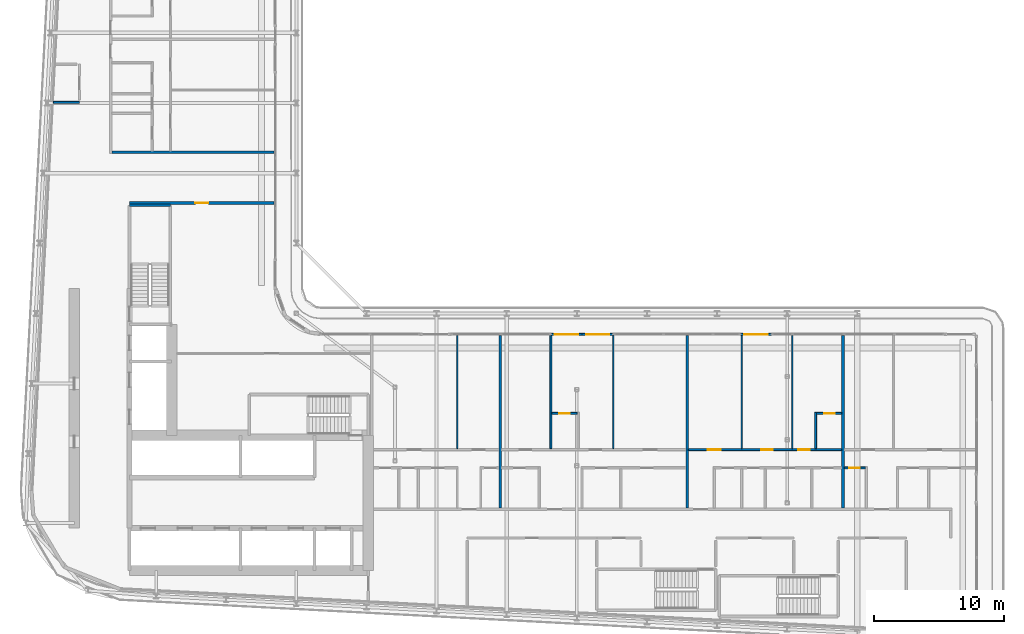
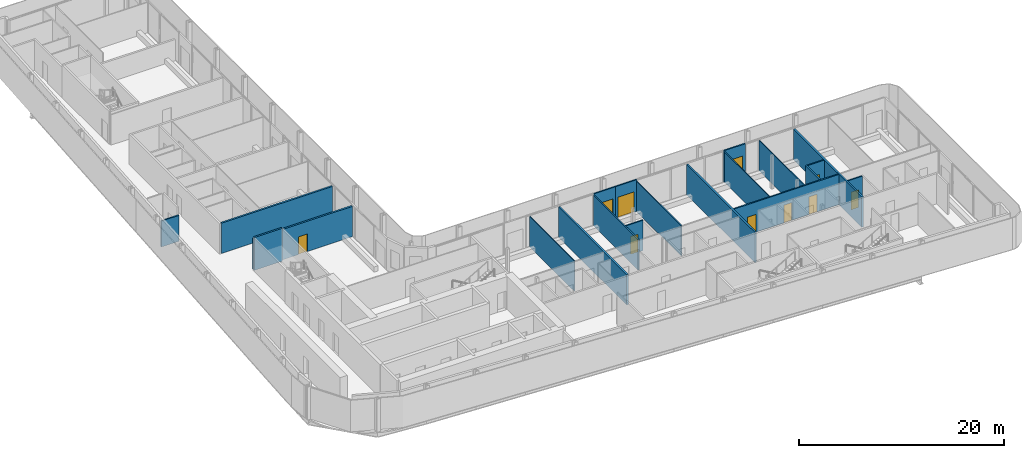
# One storey, part 18 of 29: 20 walls, 10 doors, 10 openings.
"""IFC4 building model written with IfcOpenShell, lengths in metres."""

from ifc_helpers import new_model, si_unit, direction, frame, frame_2d, origin, place, context, subcontext, project, spatial, rectangle, extrude, source, transform, mapped, material, layer, layer_set, type_object, element, fill, save


model = new_model("IFC4")

# Units and contexts
model_context = context("Model", 3, precision=1e-05, world=origin(), true_north=direction((0.0, 1.0)))
body_context = subcontext(model_context, "Body", "Model", "MODEL_VIEW")
ifc_project = project(units=[si_unit("LENGTHUNIT", "METRE"), si_unit("AREAUNIT", "SQUARE_METRE"), si_unit("VOLUMEUNIT", "CUBIC_METRE"), si_unit("PLANEANGLEUNIT", "RADIAN"), si_unit("MASSUNIT", "GRAM", prefix="KILO")], contexts=[model_context])

# Site, building, storey
site_placement = place(None, origin())
site = spatial("IfcSite", under=ifc_project, at=site_placement, CompositionType="ELEMENT")
building_placement = place(site_placement, origin())
building = spatial("IfcBuilding", under=site, at=building_placement, Name="Kheshtan School and Residences Tower", CompositionType="ELEMENT")
storey_placement = place(building_placement, frame((0.0, 0.0, 179.89990234375)))
storey = spatial("IfcBuildingStorey", under=building, at=storey_placement, Name="L42", CompositionType="ELEMENT", Elevation=179.89990234375)

# Wall
ifc_material_1 = material(Name="Gypsum board on steel studs with fire boards", Category="steel")
ifc_layer_1 = layer(ifc_material_1, 0.199951171875)
ifc_layer_set_1 = layer_set([ifc_layer_1], Name="Corridor wall 200")
wall_type_1 = type_object("IfcWallType", Name="Corridor wall 200", PredefinedType="PARTITIONING", material=ifc_layer_set_1)
wall_1_placement = place(storey_placement, frame((33.39990234375, 58.0, 0.0), z_axis=(0.0, 0.0, 1.0), x_axis=(1.0, 0.0, 0.0)))
element("IfcWall", 1, at=wall_1_placement, inside=storey, type_object=wall_type_1, Name="Partition L42-006", PredefinedType="PARTITIONING", context=body_context, shape_type="SweptSolid", body=[
    extrude(rectangle(XDim=12.5, YDim=0.199951171875, at=frame_2d((6.25, 0.0))), origin(), (0.0, 0.0, 1.0), 3.60009765625),
])

# Wall, opening, door
wall_2_placement = place(storey_placement, frame((34.75, 54.10009765625, 0.0), z_axis=(0.0, 0.0, 1.0), x_axis=(1.0, 0.0, 0.0)))
wall_2 = element("IfcWall", 2, at=wall_2_placement, inside=storey, type_object=wall_type_1, Name="Partition L42-017", PredefinedType="PARTITIONING", context=body_context, shape_type="SweptSolid", body=[
    extrude(rectangle(XDim=11.14990234375, YDim=0.199951171875, at=frame_2d((5.574951171875, 0.0))), origin(), (0.0, 0.0, 1.0), 3.60009765625),
])
opening_1_placement = place(wall_2_placement, frame((5.074951171875, 0.0, 0.0)))
opening_1 = element("IfcOpeningElement", 3, at=opening_1_placement, cuts=wall_2, Name="Opening D41-051", PredefinedType="OPENING", context=body_context, shape_type="SweptSolid", body=[
    extrude(rectangle(XDim=1.0, YDim=2.10009765625, at=frame_2d((0.5, 1.050048828125))), frame((0.0, 0.10986328125, 0.0), z_axis=(0.0, -1.0, 0.0), x_axis=(1.0, 0.0, 0.0)), (0.0, 0.0, 1.0), 0.219970703125),
])
ifc_material_2 = material(Name="Steel-framed fire-resisting door leaf", Category="steel")
door_type_1 = type_object("IfcDoorType", Name="Fire door FD60 1000 x 2100", OperationType="SINGLE_SWING_LEFT", PredefinedType="DOOR", material=ifc_material_2)
shared_shape_1 = source(origin(), body_context, "Body", "SweptSolid", [
    extrude(rectangle(XDim=1.0, YDim=2.10009765625, at=frame_2d((0.5, 1.050048828125))), frame((0.0, 0.02490234375, 0.0), z_axis=(0.0, -1.0, 0.0), x_axis=(1.0, 0.0, 0.0)), (0.0, 0.0, 1.0), 0.050048828125),
])
door_1_placement = place(opening_1_placement, origin())
door_1 = element("IfcDoor", 4, at=door_1_placement, inside=storey, type_object=door_type_1, Name="Door D41-051", OperationType="SINGLE_SWING_RIGHT", OverallHeight=2.10009765625, OverallWidth=1.0, PredefinedType="DOOR", context=body_context, shape_type="MappedRepresentation", body=[
    mapped(shared_shape_1, transform((0.0, 0.0, 0.0), x_axis=(1.0, 0.0, 0.0), y_axis=(0.0, 1.0, 0.0), z_axis=(0.0, 0.0, 1.0), scale=1.0)),
])
fill(opening_1, door_1)

ifc_material_3 = material(Name="Aluminium frame wall with insulated infill", Category="aluminium")
ifc_layer_2 = layer(ifc_material_3, 0.14990234375)
ifc_layer_set_2 = layer_set([ifc_layer_2], Name="Glazing frame wall 150")
wall_type_2 = type_object("IfcWallType", Name="Glazing frame wall 150", PredefinedType="SOLIDWALL", material=ifc_layer_set_2)
wall_3_placement = place(storey_placement, frame((67.218017578125, 43.97509765625, 0.0), z_axis=(0.0, 0.0, 1.0), x_axis=(1.0, 0.0, 0.0)))
wall_3 = element("IfcWall", 5, at=wall_3_placement, inside=storey, type_object=wall_type_2, Name="Balcony door wall L42 12.2", PredefinedType="SOLIDWALL", context=body_context, shape_type="SweptSolid", body=[
    extrude(rectangle(XDim=2.39990234375, YDim=0.14990234375, at=frame_2d((1.199951171875, 0.0))), origin(), (0.0, 0.0, 1.0), 3.75),
])
opening_2_placement = place(wall_3_placement, frame((0.300048828125, 0.0, 0.0)))
opening_2 = element("IfcOpeningElement", 6, at=opening_2_placement, cuts=wall_3, Name="Opening BD", PredefinedType="OPENING", context=body_context, shape_type="SweptSolid", body=[
    extrude(rectangle(XDim=1.800048828125, YDim=2.39990234375, at=frame_2d((0.89990234375, 1.199951171875))), frame((0.0, 0.0849609375, 0.0), z_axis=(0.0, -1.0, 0.0), x_axis=(1.0, 0.0, 0.0)), (0.0, 0.0, 1.0), 0.169921875),
])
ifc_material_4 = material(Name="Clear low-e glass in thermally broken aluminium frame", Category="aluminium")
door_type_2 = type_object("IfcDoorType", Name="Balcony sliding door", OperationType="SLIDING_TO_LEFT", PredefinedType="DOOR", material=ifc_material_4)
shared_shape_2 = source(origin(), body_context, "Body", "SweptSolid", [
    extrude(rectangle(XDim=1.800048828125, YDim=2.39990234375, at=frame_2d((0.89990234375, 1.199951171875))), frame((0.0, 0.02490234375, 0.0), z_axis=(0.0, -1.0, 0.0), x_axis=(1.0, 0.0, 0.0)), (0.0, 0.0, 1.0), 0.050048828125),
])
door_2_placement = place(opening_2_placement, origin())
door_2 = element("IfcDoor", 7, at=door_2_placement, inside=storey, type_object=door_type_2, Name="Balcony door L42 12.2", OperationType="SLIDING_TO_LEFT", OverallHeight=2.39990234375, OverallWidth=1.800048828125, PredefinedType="DOOR", context=body_context, shape_type="MappedRepresentation", body=[
    mapped(shared_shape_2, transform((0.0, 0.0, 0.0), x_axis=(1.0, 0.0, 0.0), y_axis=(0.0, 1.0, 0.0), z_axis=(0.0, 0.0, 1.0), scale=1.0)),
])
fill(opening_2, door_2)

wall_4_placement = place(storey_placement, frame((69.617919921875, 43.97509765625, 0.0), z_axis=(0.0, 0.0, 1.0), x_axis=(1.0, 0.0, 0.0)))
wall_4 = element("IfcWall", 8, at=wall_4_placement, inside=storey, type_object=wall_type_2, Name="Balcony door wall L42 12.3", PredefinedType="SOLIDWALL", context=body_context, shape_type="SweptSolid", body=[
    extrude(rectangle(XDim=2.400146484375, YDim=0.14990234375, at=frame_2d((1.2001953125, 0.0))), origin(), (0.0, 0.0, 1.0), 3.75),
])
opening_3_placement = place(wall_4_placement, frame((0.300048828125, 0.0, 0.0)))
opening_3 = element("IfcOpeningElement", 9, at=opening_3_placement, cuts=wall_4, Name="Opening BD", PredefinedType="OPENING", context=body_context, shape_type="SweptSolid", body=[
    extrude(rectangle(XDim=1.800048828125, YDim=2.39990234375, at=frame_2d((0.89990234375, 1.199951171875))), frame((0.0, 0.0849609375, 0.0), z_axis=(0.0, -1.0, 0.0), x_axis=(1.0, 0.0, 0.0)), (0.0, 0.0, 1.0), 0.169921875),
])
door_3_placement = place(opening_3_placement, origin())
door_3 = element("IfcDoor", 10, at=door_3_placement, inside=storey, type_object=door_type_2, Name="Balcony door L42 12.3", OperationType="SLIDING_TO_LEFT", OverallHeight=2.39990234375, OverallWidth=1.800048828125, PredefinedType="DOOR", context=body_context, shape_type="MappedRepresentation", body=[
    mapped(shared_shape_2, transform((0.0, 0.0, 0.0), x_axis=(1.0, 0.0, 0.0), y_axis=(0.0, 1.0, 0.0), z_axis=(0.0, 0.0, 1.0), scale=1.0)),
])
fill(opening_3, door_3)

wall_5_placement = place(storey_placement, frame((81.81201171875, 43.97509765625, 0.0), z_axis=(0.0, 0.0, 1.0), x_axis=(1.0, 0.0, 0.0)))
wall_5 = element("IfcWall", 11, at=wall_5_placement, inside=storey, type_object=wall_type_2, Name="Balcony door wall L42 12.4", PredefinedType="SOLIDWALL", context=body_context, shape_type="SweptSolid", body=[
    extrude(rectangle(XDim=2.39990234375, YDim=0.14990234375, at=frame_2d((1.199951171875, 0.0))), origin(), (0.0, 0.0, 1.0), 3.75),
])
opening_4_placement = place(wall_5_placement, frame((0.300048828125, 0.0, 0.0)))
opening_4 = element("IfcOpeningElement", 12, at=opening_4_placement, cuts=wall_5, Name="Opening BD", PredefinedType="OPENING", context=body_context, shape_type="SweptSolid", body=[
    extrude(rectangle(XDim=1.800048828125, YDim=2.39990234375, at=frame_2d((0.89990234375, 1.199951171875))), frame((0.0, 0.0849609375, 0.0), z_axis=(0.0, -1.0, 0.0), x_axis=(1.0, 0.0, 0.0)), (0.0, 0.0, 1.0), 0.169921875),
])
door_4_placement = place(opening_4_placement, origin())
door_4 = element("IfcDoor", 13, at=door_4_placement, inside=storey, type_object=door_type_2, Name="Balcony door L42 12.4", OperationType="SLIDING_TO_LEFT", OverallHeight=2.39990234375, OverallWidth=1.800048828125, PredefinedType="DOOR", context=body_context, shape_type="MappedRepresentation", body=[
    mapped(shared_shape_2, transform((0.0, 0.0, 0.0), x_axis=(1.0, 0.0, 0.0), y_axis=(0.0, 1.0, 0.0), z_axis=(0.0, 0.0, 1.0), scale=1.0)),
])
fill(opening_4, door_4)

# Walls
ifc_material_5 = material(Name="Gypsum board on steel studs", Category="steel")
ifc_layer_3 = layer(ifc_material_5, 0.10009765625)
ifc_layer_set_3 = layer_set([ifc_layer_3], Name="Gypsum partition 100")
wall_type_3 = type_object("IfcWallType", Name="Gypsum partition 100", PredefinedType="PARTITIONING", material=ifc_layer_set_3)
for number, where, z_axis, x_axis, name in (
    (14, (60.0, 35.175048828125, 0.0), (0.0, 0.0, 1.0), (0.0, 1.0, 0.0), "Partition L42-038"),
    (15, (72.0, 35.175048828125, 0.0), (0.0, 0.0, 1.0), (0.0, 1.0, 0.0), "Partition L42-050"),
    (16, (81.89990234375, 35.175048828125, 0.0), (0.0, 0.0, 1.0), (0.0, 1.0, 0.0), "Partition L42-057"),
    (17, (85.800048828125, 35.175048828125, 0.0), (0.0, 0.0, 1.0), (0.0, 1.0, 0.0), "Partition L42-059"),
):
    element("IfcWall", number, at=place(storey_placement, frame(where, z_axis=z_axis, x_axis=x_axis)), inside=storey, type_object=wall_type_3, Name=name, PredefinedType="PARTITIONING", context=body_context, shape_type="SweptSolid", body=[
        extrude(rectangle(XDim=8.724853515625, YDim=0.10009765625, at=frame_2d((4.3623046875, 0.0))), origin(), (0.0, 0.0, 1.0), 3.60009765625),
    ])
ifc_material_6 = material(Name="Fire-board shaft wall system")
ifc_layer_4 = layer(ifc_material_6, 0.14990234375)
ifc_layer_set_4 = layer_set([ifc_layer_4], Name="Service room wall 150")
wall_type_4 = type_object("IfcWallType", Name="Service room wall 150", PredefinedType="PARTITIONING", material=ifc_layer_set_4)
wall_6_placement = place(storey_placement, frame((28.89501953125, 61.85107421875, 0.0), z_axis=(0.0, 0.0, 1.0), x_axis=(1.0, 0.0, 0.0)))
element("IfcWall", 18, at=wall_6_placement, inside=storey, type_object=wall_type_4, Name="Service room wall", PredefinedType="PARTITIONING", context=body_context, shape_type="SweptSolid", body=[
    extrude(rectangle(XDim=2.0048828125, YDim=0.14990234375, at=frame_2d((1.00244140625, 0.0))), origin(), (0.0, 0.0, 1.0), 3.072021484375),
])
ifc_material_7 = material(Name="Concrete C40/50", Category="concrete")
ifc_layer_5 = layer(ifc_material_7, 0.199951171875)
ifc_layer_set_5 = layer_set([ifc_layer_5], Name="Stair enclosure wall 200 Concrete C40/50")
wall_type_5 = type_object("IfcWallType", Name="Stair enclosure wall 200 Concrete C40/50", PredefinedType="SHEAR", material=ifc_layer_set_5)
wall_7_placement = place(storey_placement, frame((34.75, 53.909912109375, 0.0), z_axis=(0.0, 0.0, 1.0), x_axis=(1.0, 0.0, 0.0)))
element("IfcWall", 19, at=wall_7_placement, inside=storey, type_object=wall_type_5, Name="Stair enclosure wall ST2", PredefinedType="SHEAR", context=body_context, shape_type="SweptSolid", body=[
    extrude(rectangle(XDim=3.14990234375, YDim=0.199951171875, at=frame_2d((1.574951171875, 0.0))), origin(), (0.0, 0.0, 1.0), 3.900146484375),
])
ifc_material_8 = material(Name="Twin gypsum board on steel studs with mineral wool", Category="steel")
ifc_layer_6 = layer(ifc_material_8, 0.199951171875)
ifc_layer_set_6 = layer_set([ifc_layer_6], Name="Unit demising wall 200")
wall_type_6 = type_object("IfcWallType", Name="Unit demising wall 200", PredefinedType="PARTITIONING", material=ifc_layer_set_6)
for number, where, z_axis, x_axis, name in (
    (20, (63.300048828125, 30.60009765625, 0.0), (0.0, 0.0, 1.0), (0.0, 1.0, 0.0), "Partition L42-041"),
    (21, (77.699951171875, 30.60009765625, 0.0), (0.0, 0.0, 1.0), (0.0, 1.0, 0.0), "Partition L42-052"),
    (22, (89.699951171875, 30.60009765625, 0.0), (0.0, 0.0, 1.0), (0.0, 1.0, 0.0), "Partition L42-063"),
):
    element("IfcWall", number, at=place(storey_placement, frame(where, z_axis=z_axis, x_axis=x_axis)), inside=storey, type_object=wall_type_6, Name=name, PredefinedType="PARTITIONING", context=body_context, shape_type="SweptSolid", body=[
        extrude(rectangle(XDim=13.2998046875, YDim=0.199951171875, at=frame_2d((6.64990234375, 0.0))), origin(), (0.0, 0.0, 1.0), 3.60009765625),
    ])
ifc_material_9 = material(Name="Moisture-resistant gypsum board on steel studs", Category="steel")
ifc_layer_7 = layer(ifc_material_9, 0.14990234375)
ifc_layer_set_7 = layer_set([ifc_layer_7], Name="Wet-room partition 150")
wall_type_7 = type_object("IfcWallType", Name="Wet-room partition 150", PredefinedType="PARTITIONING", material=ifc_layer_set_7)
wall_8_placement = place(storey_placement, frame((67.199951171875, 35.175048828125, 0.0), z_axis=(0.0, 0.0, 1.0), x_axis=(0.0, 1.0, 0.0)))
element("IfcWall", 23, at=wall_8_placement, inside=storey, type_object=wall_type_7, Name="Partition L42-045", PredefinedType="PARTITIONING", context=body_context, shape_type="SweptSolid", body=[
    extrude(rectangle(XDim=8.724853515625, YDim=0.14990234375, at=frame_2d((4.3623046875, 0.0))), origin(), (0.0, 0.0, 1.0), 3.60009765625),
])

# Wall, opening, door
wall_9_placement = place(storey_placement, frame((67.27490234375, 37.89990234375, 0.0), z_axis=(0.0, 0.0, 1.0), x_axis=(1.0, 0.0, 0.0)))
wall_9 = element("IfcWall", 24, at=wall_9_placement, inside=storey, type_object=wall_type_7, Name="Partition L42-046", PredefinedType="PARTITIONING", context=body_context, shape_type="SweptSolid", body=[
    extrude(rectangle(XDim=1.9501953125, YDim=0.14990234375, at=frame_2d((0.97509765625, 0.0))), origin(), (0.0, 0.0, 1.0), 3.60009765625),
])
opening_5_placement = place(wall_9_placement, frame((0.574951171875, 0.0, 0.0)))
opening_5 = element("IfcOpeningElement", 25, at=opening_5_placement, cuts=wall_9, Name="Opening D41-010", PredefinedType="OPENING", context=body_context, shape_type="SweptSolid", body=[
    extrude(rectangle(XDim=0.800048828125, YDim=2.10009765625, at=frame_2d((0.39990234375, 1.050048828125))), frame((0.0, 0.0849609375, 0.0), z_axis=(0.0, -1.0, 0.0), x_axis=(1.0, 0.0, 0.0)), (0.0, 0.0, 1.0), 0.169921875),
])
ifc_material_10 = material(Name="Veneered timber door leaf", Category="wood")
door_type_3 = type_object("IfcDoorType", Name="Door 800 x 2100", OperationType="SINGLE_SWING_LEFT", PredefinedType="DOOR", material=ifc_material_10)
shared_shape_3 = source(origin(), body_context, "Body", "SweptSolid", [
    extrude(rectangle(XDim=0.800048828125, YDim=2.10009765625, at=frame_2d((0.39990234375, 1.050048828125))), frame((0.0, 0.02490234375, 0.0), z_axis=(0.0, -1.0, 0.0), x_axis=(1.0, 0.0, 0.0)), (0.0, 0.0, 1.0), 0.050048828125),
])
door_5_placement = place(opening_5_placement, origin())
door_5 = element("IfcDoor", 26, at=door_5_placement, inside=storey, type_object=door_type_3, Name="Door D41-010", OperationType="SINGLE_SWING_LEFT", OverallHeight=2.10009765625, OverallWidth=0.800048828125, PredefinedType="DOOR", context=body_context, shape_type="MappedRepresentation", body=[
    mapped(shared_shape_3, transform((0.0, 0.0, 0.0), x_axis=(1.0, 0.0, 0.0), y_axis=(0.0, 1.0, 0.0), z_axis=(0.0, 0.0, 1.0), scale=1.0)),
])
fill(opening_5, door_5)

# Wall, openings, doors
wall_10_placement = place(storey_placement, frame((77.800048828125, 35.10009765625, 0.0), z_axis=(0.0, 0.0, 1.0), x_axis=(1.0, 0.0, 0.0)))
wall_10 = element("IfcWall", 27, at=wall_10_placement, inside=storey, type_object=wall_type_7, Name="Partition L42-053", PredefinedType="PARTITIONING", context=body_context, shape_type="SweptSolid", body=[
    extrude(rectangle(XDim=11.800048828125, YDim=0.14990234375, at=frame_2d((5.89990234375, 0.0))), origin(), (0.0, 0.0, 1.0), 3.60009765625),
])
opening_6_placement = place(wall_10_placement, frame((5.60009765625, 0.0, 0.0)))
opening_6 = element("IfcOpeningElement", 28, at=opening_6_placement, cuts=wall_10, Name="Opening D41-017", PredefinedType="OPENING", context=body_context, shape_type="SweptSolid", body=[
    extrude(rectangle(XDim=0.89990234375, YDim=2.10009765625, at=frame_2d((0.449951171875, 1.050048828125))), frame((0.0, 0.0849609375, 0.0), z_axis=(0.0, -1.0, 0.0), x_axis=(1.0, 0.0, 0.0)), (0.0, 0.0, 1.0), 0.169921875),
])
opening_7_placement = place(wall_10_placement, frame((1.5, 0.0, 0.0)))
opening_7 = element("IfcOpeningElement", 29, at=opening_7_placement, cuts=wall_10, Name="Opening D41-022", PredefinedType="OPENING", context=body_context, shape_type="SweptSolid", body=[
    extrude(rectangle(XDim=1.0, YDim=2.10009765625, at=frame_2d((0.5, 1.050048828125))), frame((0.0, 0.0849609375, 0.0), z_axis=(0.0, -1.0, 0.0), x_axis=(1.0, 0.0, 0.0)), (0.0, 0.0, 1.0), 0.169921875),
])
opening_8_placement = place(wall_10_placement, frame((8.449951171875, 0.0, 0.0)))
opening_8 = element("IfcOpeningElement", 30, at=opening_8_placement, cuts=wall_10, Name="Opening D41-023", PredefinedType="OPENING", context=body_context, shape_type="SweptSolid", body=[
    extrude(rectangle(XDim=0.89990234375, YDim=2.10009765625, at=frame_2d((0.449951171875, 1.050048828125))), frame((0.0, 0.0849609375, 0.0), z_axis=(0.0, -1.0, 0.0), x_axis=(1.0, 0.0, 0.0)), (0.0, 0.0, 1.0), 0.169921875),
])
door_type_4 = type_object("IfcDoorType", Name="Door 1000 x 2100", OperationType="SINGLE_SWING_LEFT", PredefinedType="DOOR", material=ifc_material_10)
shared_shape_4 = source(origin(), body_context, "Body", "SweptSolid", [
    extrude(rectangle(XDim=1.0, YDim=2.10009765625, at=frame_2d((0.5, 1.050048828125))), frame((0.0, 0.02490234375, 0.0), z_axis=(0.0, -1.0, 0.0), x_axis=(1.0, 0.0, 0.0)), (0.0, 0.0, 1.0), 0.050048828125),
])
door_6_placement = place(opening_7_placement, origin())
door_6 = element("IfcDoor", 31, at=door_6_placement, inside=storey, type_object=door_type_4, Name="Door D41-022", OperationType="SINGLE_SWING_RIGHT", OverallHeight=2.10009765625, OverallWidth=1.0, PredefinedType="DOOR", context=body_context, shape_type="MappedRepresentation", body=[
    mapped(shared_shape_4, transform((0.0, 0.0, 0.0), x_axis=(1.0, 0.0, 0.0), y_axis=(0.0, 1.0, 0.0), z_axis=(0.0, 0.0, 1.0), scale=1.0)),
])
fill(opening_7, door_6)
door_type_5 = type_object("IfcDoorType", Name="Door 900 x 2100", OperationType="SINGLE_SWING_LEFT", PredefinedType="DOOR", material=ifc_material_10)
shared_shape_5 = source(origin(), body_context, "Body", "SweptSolid", [
    extrude(rectangle(XDim=0.89990234375, YDim=2.10009765625, at=frame_2d((0.449951171875, 1.050048828125))), frame((0.0, 0.02490234375, 0.0), z_axis=(0.0, -1.0, 0.0), x_axis=(1.0, 0.0, 0.0)), (0.0, 0.0, 1.0), 0.050048828125),
])
door_7_placement = place(opening_6_placement, origin())
door_7 = element("IfcDoor", 32, at=door_7_placement, inside=storey, type_object=door_type_5, Name="Door D41-017", OperationType="SINGLE_SWING_LEFT", OverallHeight=2.10009765625, OverallWidth=0.89990234375, PredefinedType="DOOR", context=body_context, shape_type="MappedRepresentation", body=[
    mapped(shared_shape_5, transform((0.0, 0.0, 0.0), x_axis=(1.0, 0.0, 0.0), y_axis=(0.0, 1.0, 0.0), z_axis=(0.0, 0.0, 1.0), scale=1.0)),
])
fill(opening_6, door_7)
door_8_placement = place(opening_8_placement, origin())
door_8 = element("IfcDoor", 33, at=door_8_placement, inside=storey, type_object=door_type_5, Name="Door D41-023", OperationType="SINGLE_SWING_LEFT", OverallHeight=2.10009765625, OverallWidth=0.89990234375, PredefinedType="DOOR", context=body_context, shape_type="MappedRepresentation", body=[
    mapped(shared_shape_5, transform((0.0, 0.0, 0.0), x_axis=(1.0, 0.0, 0.0), y_axis=(0.0, 1.0, 0.0), z_axis=(0.0, 0.0, 1.0), scale=1.0)),
])
fill(opening_8, door_8)

# Wall
wall_11_placement = place(storey_placement, frame((87.60009765625, 35.175048828125, 0.0), z_axis=(0.0, 0.0, 1.0), x_axis=(0.0, 1.0, 0.0)))
element("IfcWall", 34, at=wall_11_placement, inside=storey, type_object=wall_type_7, Name="Partition L42-061", PredefinedType="PARTITIONING", context=body_context, shape_type="SweptSolid", body=[
    extrude(rectangle(XDim=2.800048828125, YDim=0.14990234375, at=frame_2d((1.39990234375, 0.0))), origin(), (0.0, 0.0, 1.0), 3.60009765625),
])

# Wall, opening, door
wall_12_placement = place(storey_placement, frame((87.675048828125, 37.89990234375, 0.0), z_axis=(0.0, 0.0, 1.0), x_axis=(1.0, 0.0, 0.0)))
wall_12 = element("IfcWall", 35, at=wall_12_placement, inside=storey, type_object=wall_type_7, Name="Partition L42-062", PredefinedType="PARTITIONING", context=body_context, shape_type="SweptSolid", body=[
    extrude(rectangle(XDim=1.925048828125, YDim=0.14990234375, at=frame_2d((0.96240234375, 0.0))), origin(), (0.0, 0.0, 1.0), 3.60009765625),
])
opening_9_placement = place(wall_12_placement, frame((0.574951171875, 0.0, 0.0)))
opening_9 = element("IfcOpeningElement", 36, at=opening_9_placement, cuts=wall_12, Name="Opening D41-018", PredefinedType="OPENING", context=body_context, shape_type="SweptSolid", body=[
    extrude(rectangle(XDim=0.800048828125, YDim=2.10009765625, at=frame_2d((0.39990234375, 1.050048828125))), frame((0.0, 0.0849609375, 0.0), z_axis=(0.0, -1.0, 0.0), x_axis=(1.0, 0.0, 0.0)), (0.0, 0.0, 1.0), 0.169921875),
])
door_9_placement = place(opening_9_placement, origin())
door_9 = element("IfcDoor", 37, at=door_9_placement, inside=storey, type_object=door_type_3, Name="Door D41-018", OperationType="SINGLE_SWING_LEFT", OverallHeight=2.10009765625, OverallWidth=0.800048828125, PredefinedType="DOOR", context=body_context, shape_type="MappedRepresentation", body=[
    mapped(shared_shape_3, transform((0.0, 0.0, 0.0), x_axis=(1.0, 0.0, 0.0), y_axis=(0.0, 1.0, 0.0), z_axis=(0.0, 0.0, 1.0), scale=1.0)),
])
fill(opening_9, door_9)

wall_13_placement = place(storey_placement, frame((89.800048828125, 33.699951171875, 0.0), z_axis=(0.0, 0.0, 1.0), x_axis=(1.0, 0.0, 0.0)))
wall_13 = element("IfcWall", 38, at=wall_13_placement, inside=storey, type_object=wall_type_7, Name="Partition L42-064", PredefinedType="PARTITIONING", context=body_context, shape_type="SweptSolid", body=[
    extrude(rectangle(XDim=1.625, YDim=0.14990234375, at=frame_2d((0.8125, 0.0))), origin(), (0.0, 0.0, 1.0), 3.60009765625),
])
opening_10_placement = place(wall_13_placement, frame((0.39990234375, 0.0, 0.0)))
opening_10 = element("IfcOpeningElement", 39, at=opening_10_placement, cuts=wall_13, Name="Opening D41-030", PredefinedType="OPENING", context=body_context, shape_type="SweptSolid", body=[
    extrude(rectangle(XDim=0.800048828125, YDim=2.10009765625, at=frame_2d((0.39990234375, 1.050048828125))), frame((0.0, 0.0849609375, 0.0), z_axis=(0.0, -1.0, 0.0), x_axis=(1.0, 0.0, 0.0)), (0.0, 0.0, 1.0), 0.169921875),
])
door_10_placement = place(opening_10_placement, origin())
door_10 = element("IfcDoor", 40, at=door_10_placement, inside=storey, type_object=door_type_3, Name="Door D41-030", OperationType="SINGLE_SWING_LEFT", OverallHeight=2.10009765625, OverallWidth=0.800048828125, PredefinedType="DOOR", context=body_context, shape_type="MappedRepresentation", body=[
    mapped(shared_shape_3, transform((0.0, 0.0, 0.0), x_axis=(1.0, 0.0, 0.0), y_axis=(0.0, 1.0, 0.0), z_axis=(0.0, 0.0, 1.0), scale=1.0)),
])
fill(opening_10, door_10)

save(model, "model.ifc")
